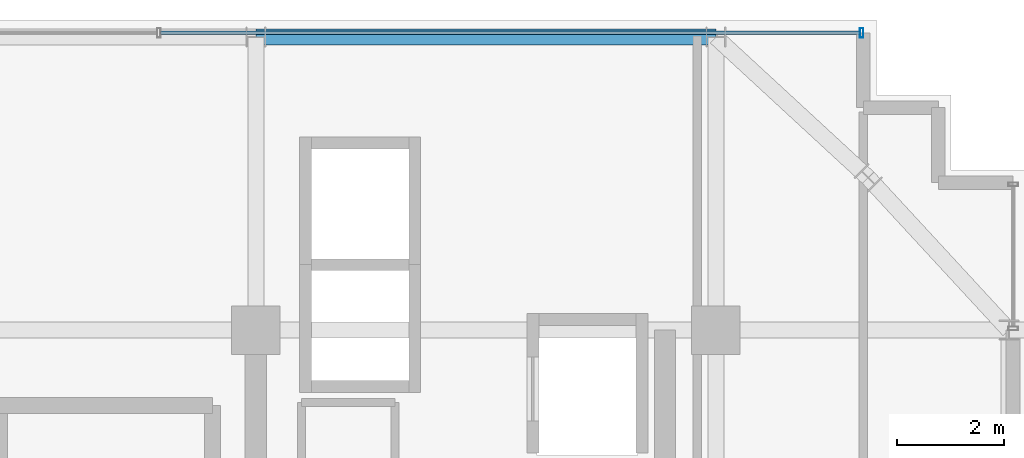
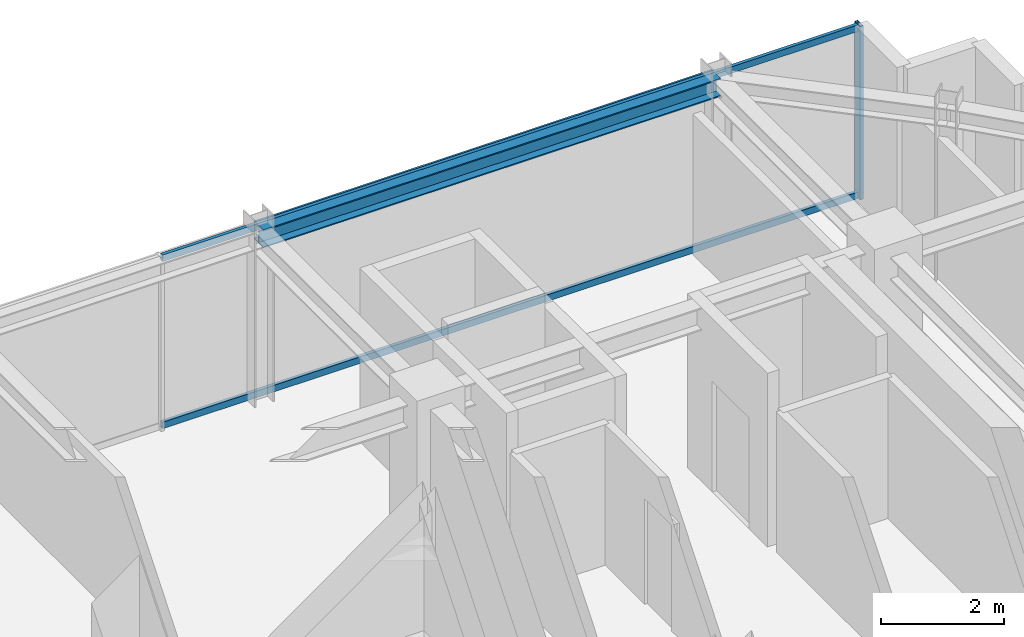
# One storey, part 25 of 32: 3 members, 1 beam, 1 element without a shape of its own.
"""IFC4 building model written with IfcOpenShell, lengths in metres."""

from ifc_helpers import new_model, si_unit, direction, frame, origin, origin_2d, place, context, subcontext, project, spatial, hollow_rectangle, i_section, extrude, source, transform, mapped, material, material_profile, profile_set, type_object, element, aggregate, save


model = new_model("IFC4")

# Units and contexts
model_context = context("Model", 3, precision=1e-05, world=origin(), true_north=direction((0.0, 1.0)))
body_context = subcontext(model_context, "Body", "Model", "MODEL_VIEW")
ifc_project = project(units=[si_unit("LENGTHUNIT", "METRE"), si_unit("AREAUNIT", "SQUARE_METRE"), si_unit("VOLUMEUNIT", "CUBIC_METRE"), si_unit("PLANEANGLEUNIT", "RADIAN"), si_unit("MASSUNIT", "GRAM", prefix="KILO")], contexts=[model_context])

# Site, building, storey
site_placement = place(None, origin())
site = spatial("IfcSite", under=ifc_project, at=site_placement, CompositionType="ELEMENT")
building_placement = place(site_placement, origin())
building = spatial("IfcBuilding", under=site, at=building_placement, Name="Nahalor Promenade Grand Hotel", CompositionType="ELEMENT")
storey_placement = place(building_placement, frame((0.0, 0.0, 285.050048828125)))
storey = spatial("IfcBuildingStorey", under=building, at=storey_placement, Name="L73", CompositionType="ELEMENT", Elevation=285.050048828125)

# Beam
ifc_material_1 = material(Name="Steel S355JR", Category="steel")
ifc_material_profile_1 = material_profile(ifc_material_1, i_section(OverallWidth=0.3, OverallDepth=0.36, WebThickness=0.0125, FlangeThickness=0.0225, at=origin_2d()), Name="HEB 360")
ifc_profile_set_1 = profile_set([ifc_material_profile_1], Name="Steel S355JR")
beam_type = type_object("IfcBeamType", Name="Beam-Spandrel-HEB360", PredefinedType="SPANDREL", material=ifc_profile_set_1)
shared_shape_1 = source(origin(), body_context, "Body", "SweptSolid", [
    extrude(i_section(OverallWidth=0.3, OverallDepth=0.36, WebThickness=0.0125, FlangeThickness=0.0225, at=origin_2d()), origin(), (0.0, 0.0, 1.0), 8.60009765625),
])
beam_placement = place(storey_placement, frame((8.39990234375, 22.47998046875, 3.27001953125), z_axis=(1.0, 0.0, 0.0), x_axis=(0.0, 1.0, 0.0)))
element("IfcBeam", 1, at=beam_placement, inside=storey, type_object=beam_type, Name="BM-L73-SP-N-4", PredefinedType="SPANDREL", context=body_context, shape_type="MappedRepresentation", body=[
    mapped(shared_shape_1, transform((0.0, 0.0, 0.0), scale=1.0)),
])

# Curtain wall, members
ifc_material_2 = material(Name="Anodised Bronze Aluminium EN AW-6063 T6", Category="aluminium")
curtain_wall_type = type_object("IfcCurtainWallType", Name="CW2 Typical Hotel Flush Bronze Unitised Curtain Wall", PredefinedType="USERDEFINED", material=ifc_material_2)
curtain_wall_placement = place(storey_placement, origin())
curtain_wall = element("IfcCurtainWall", 2, at=curtain_wall_placement, inside=storey, type_object=curtain_wall_type, Name="L73 Curtain Wall CW-L73-N-1", ObjectType="UNITISED_CURTAIN_WALL", PredefinedType="USERDEFINED")
ifc_material_profile_2 = material_profile(ifc_material_2, hollow_rectangle(XDim=0.065, YDim=0.13, WallThickness=0.004, at=origin_2d()), Name="CWT 65x130x4")
ifc_profile_set_2 = profile_set([ifc_material_profile_2], Name="Anodised Bronze Aluminium EN AW-6063 T6")
member_type_1 = type_object("IfcMemberType", Name="CWT2 Typical Bronze Transom 65x130", PredefinedType="USERDEFINED", material=ifc_profile_set_2)
shared_shape_2 = source(origin(), body_context, "Body", "SweptSolid", [
    extrude(hollow_rectangle(XDim=0.065, YDim=0.13, WallThickness=0.004, at=origin_2d()), origin(), (0.0, 0.0, 1.0), 13.075927734375),
])
member_1_placement = place(storey_placement, frame((6.619140625, 22.56005859375, 0.06494140625), z_axis=(1.0, 0.0, 0.0), x_axis=(0.0, 1.0, 0.0)))
member_1 = element("IfcMember", 3, at=member_1_placement, type_object=member_type_1, Name="CW-L73-N-1 Transom 2-0", ObjectType="TRANSOM", PredefinedType="USERDEFINED", context=body_context, shape_type="MappedRepresentation", body=[
    mapped(shared_shape_2, transform((0.0, 0.0, 0.0), scale=1.0)),
])
member_2_placement = place(storey_placement, frame((6.619140625, 22.56005859375, 3.385009765625), z_axis=(1.0, 0.0, 0.0), x_axis=(0.0, 1.0, 0.0)))
member_2 = element("IfcMember", 4, at=member_2_placement, type_object=member_type_1, Name="CW-L73-N-1 Transom 2-1", ObjectType="TRANSOM", PredefinedType="USERDEFINED", context=body_context, shape_type="MappedRepresentation", body=[
    mapped(shared_shape_2, transform((0.0, 0.0, 0.0), scale=1.0)),
])
ifc_material_profile_3 = material_profile(ifc_material_2, hollow_rectangle(XDim=0.065, YDim=0.18, WallThickness=0.004, at=origin_2d()), Name="CWM 65x180x4")
ifc_profile_set_3 = profile_set([ifc_material_profile_3], Name="Anodised Bronze Aluminium EN AW-6063 T6")
member_type_2 = type_object("IfcMemberType", Name="CWM2 Typical Bronze Mullion 65x180", PredefinedType="MULLION", material=ifc_profile_set_3)
shared_shape_3 = source(origin(), body_context, "Body", "SweptSolid", [
    extrude(hollow_rectangle(XDim=0.065, YDim=0.18, WallThickness=0.004, at=origin_2d()), origin(), (0.0, 0.0, 1.0), 3.449951171875),
])
member_3_placement = place(storey_placement, frame((19.7275390625, 22.56005859375, 0.0), z_axis=(0.0, 0.0, 1.0), x_axis=(1.0, 0.0, 0.0)))
member_3 = element("IfcMember", 5, at=member_3_placement, type_object=member_type_2, Name="CW-L73-N-1 Mullion 3", PredefinedType="MULLION", context=body_context, shape_type="MappedRepresentation", body=[
    mapped(shared_shape_3, transform((0.0, 0.0, 0.0), scale=1.0)),
])
aggregate(curtain_wall, [member_3, member_1, member_2])

save(model, "model.ifc")
